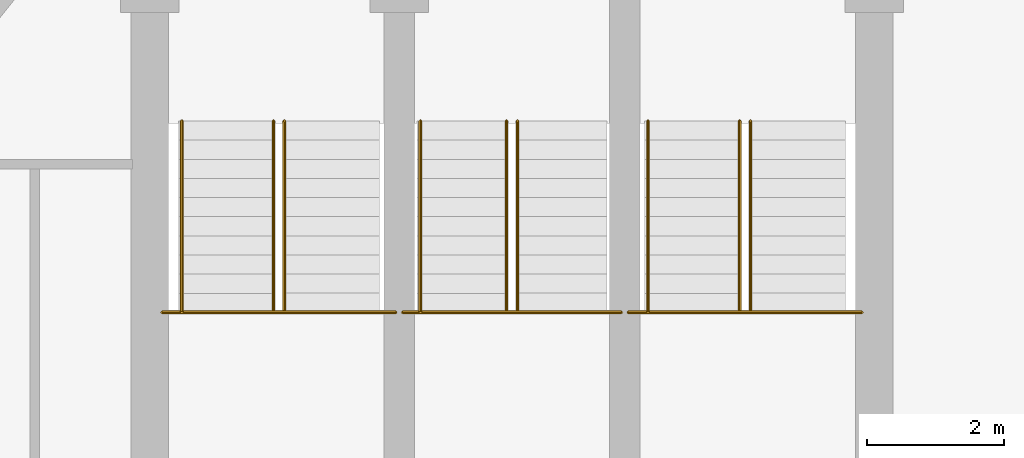
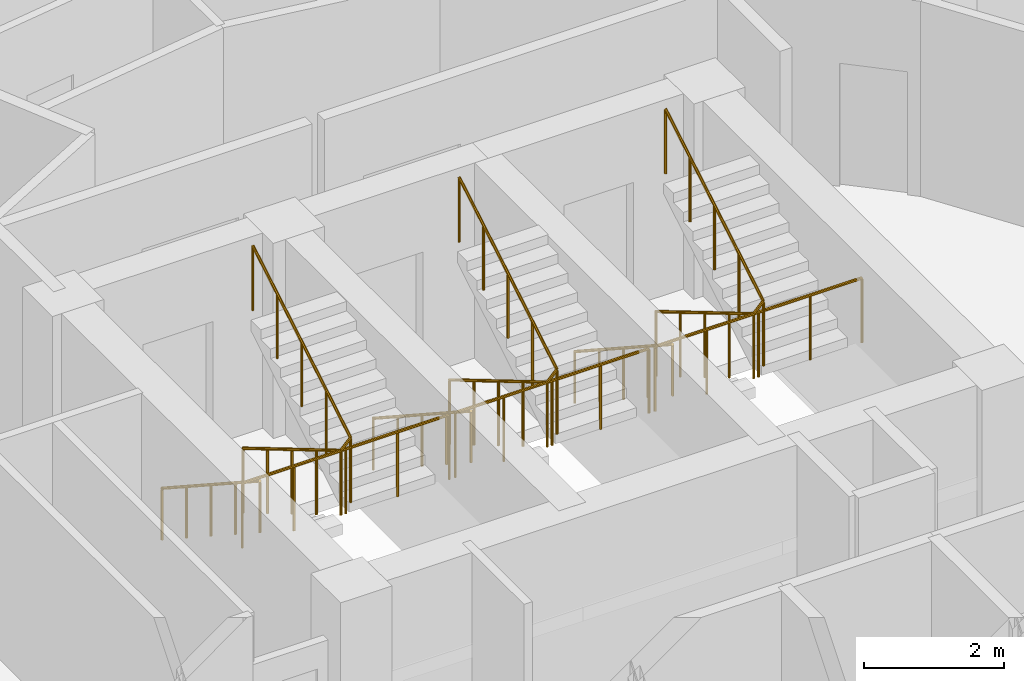
# One storey, part 27 of 27: 9 railings.
"""IFC4 building model written with IfcOpenShell, lengths in metres."""

from ifc_helpers import new_model, si_unit, direction, frame, origin, place, context, subcontext, project, spatial, polyline, outline, extrude, material, type_object, element, save


model = new_model("IFC4")

# Units and contexts
model_context = context("Model", 3, precision=1e-05, world=origin(), true_north=direction((0.0, 1.0)))
body_context = subcontext(model_context, "Body", "Model", "MODEL_VIEW")
ifc_project = project(units=[si_unit("LENGTHUNIT", "METRE"), si_unit("AREAUNIT", "SQUARE_METRE"), si_unit("VOLUMEUNIT", "CUBIC_METRE"), si_unit("PLANEANGLEUNIT", "RADIAN"), si_unit("MASSUNIT", "GRAM", prefix="KILO")], contexts=[model_context])

# Site, building, storey
site_placement = place(None, origin())
site = spatial("IfcSite", under=ifc_project, at=site_placement, CompositionType="ELEMENT")
building_placement = place(site_placement, origin())
building = spatial("IfcBuilding", under=site, at=building_placement, Name="Nuhasar Tower", CompositionType="ELEMENT")
storey_placement = place(building_placement, frame((0.0, 0.0, 211.800048828125)))
storey = spatial("IfcBuildingStorey", under=building, at=storey_placement, Name="L51", CompositionType="ELEMENT", Elevation=211.800048828125)

# Railings
ifc_material_1 = material(Name="Steel S355", Category="steel")
railing_type_1 = type_object("IfcRailingType", Name="RLG-STAIR-GUARD-1150", PredefinedType="GUARDRAIL", material=ifc_material_1)
railing_1_placement = place(storey_placement, frame((33.8798828125, 32.485107421875, 1.824951171875)))
element("IfcRailing", 1, at=railing_1_placement, inside=storey, type_object=railing_type_1, Name="L51 Stair ST-01 Guardrail LND", PredefinedType="GUARDRAIL", context=body_context, shape_type="SweptSolid", body=[
    extrude(outline(polyline([(0.024169921875, 0.0), (0.01708984375, 0.01708984375), (0.0, 0.024169921875), (-0.01708984375, 0.01708984375), (-0.024169921875, 0.0), (-0.01708984375, -0.01708984375), (0.0, -0.024169921875), (0.01708984375, -0.01708984375), (0.024169921875, 0.0)])), frame((0.0, 0.0, 1.1259765625), z_axis=(1.0, 0.0, 0.0), x_axis=(0.0, 1.0, 0.0)), (0.0, 0.0, 1.0), 3.420166015625),
    extrude(outline(polyline([(0.02099609375, 0.0), (0.014892578125, 0.014892578125), (0.0, 0.02099609375), (-0.014892578125, 0.014892578125), (-0.02099609375, 0.0), (-0.014892578125, -0.014892578125), (0.0, -0.02099609375), (0.014892578125, -0.014892578125), (0.02099609375, 0.0)])), origin(), (0.0, 0.0, 1.0), 1.101806640625),
    extrude(outline(polyline([(0.02099609375, 0.0), (0.014892578125, 0.014892578125), (0.0, 0.02099609375), (-0.014892578125, 0.014892578125), (-0.02099609375, 0.0), (-0.014892578125, -0.014892578125), (0.0, -0.02099609375), (0.014892578125, -0.014892578125), (0.02099609375, 0.0)])), frame((0.85498046875, 0.0, 0.0)), (0.0, 0.0, 1.0), 1.101806640625),
    extrude(outline(polyline([(0.02099609375, 0.0), (0.014892578125, 0.014892578125), (0.0, 0.02099609375), (-0.014892578125, 0.014892578125), (-0.02099609375, 0.0), (-0.014892578125, -0.014892578125), (0.0, -0.02099609375), (0.014892578125, -0.014892578125), (0.02099609375, 0.0)])), frame((1.7099609375, 0.0, 0.0)), (0.0, 0.0, 1.0), 1.101806640625),
    extrude(outline(polyline([(0.02099609375, 0.0), (0.014892578125, 0.014892578125), (0.0, 0.02099609375), (-0.014892578125, 0.014892578125), (-0.02099609375, 0.0), (-0.014892578125, -0.014892578125), (0.0, -0.02099609375), (0.014892578125, -0.014892578125), (0.02099609375, 0.0)])), frame((2.565185546875, 0.0, 0.0)), (0.0, 0.0, 1.0), 1.101806640625),
    extrude(outline(polyline([(0.02099609375, 0.0), (0.014892578125, 0.014892578125), (0.0, 0.02099609375), (-0.014892578125, 0.014892578125), (-0.02099609375, 0.0), (-0.014892578125, -0.014892578125), (0.0, -0.02099609375), (0.014892578125, -0.014892578125), (0.02099609375, 0.0)])), frame((3.420166015625, 0.0, 0.0)), (0.0, 0.0, 1.0), 1.101806640625),
])
railing_2_placement = place(storey_placement, frame((35.510009765625, 35.284912109375, 0.166015625)))
element("IfcRailing", 2, at=railing_2_placement, inside=storey, type_object=railing_type_1, Name="L51 Stair ST-01 Guardrail SLT", PredefinedType="GUARDRAIL", context=body_context, shape_type="SweptSolid", body=[
    extrude(outline(polyline([(0.024169921875, 0.0), (0.01708984375, 0.01708984375), (0.0, 0.024169921875), (-0.01708984375, 0.01708984375), (-0.024169921875, 0.0), (-0.01708984375, -0.01708984375), (0.0, -0.024169921875), (0.01708984375, -0.01708984375), (0.024169921875, 0.0)])), frame((0.0, 0.0, 1.1259765625), z_axis=(0.0, -0.860319559791, 0.509755093197), x_axis=(1.0, 0.0, 0.0)), (0.0, 0.0, 1.0), 3.25439453125),
    extrude(outline(polyline([(0.024169921875, 0.0), (0.01708984375, 0.01708984375), (0.0, 0.024169921875), (-0.01708984375, 0.01708984375), (-0.024169921875, 0.0), (-0.01708984375, -0.01708984375), (0.0, -0.024169921875), (0.01708984375, -0.01708984375), (0.024169921875, 0.0)])), frame((0.0, -2.7998046875, 2.78466796875), z_axis=(0.693743449033, 0.0, 0.72022220663), x_axis=(0.0, 1.0, 0.0)), (0.0, 0.0, 1.0), 0.23046875),
    extrude(outline(polyline([(0.024169921875, 0.0), (0.01708984375, 0.01708984375), (0.0, 0.024169921875), (-0.01708984375, 0.01708984375), (-0.024169921875, 0.0), (-0.01708984375, -0.01708984375), (0.0, -0.024169921875), (0.01708984375, -0.01708984375), (0.024169921875, 0.0)])), frame((0.159912109375, -2.7998046875, 2.95068359375), z_axis=(0.0, 0.860319559791, 0.509755093197), x_axis=(-1.0, 0.0, 0.0)), (0.0, 0.0, 1.0), 3.25439453125),
    extrude(outline(polyline([(0.02099609375, 0.0), (0.014892578125, 0.014892578125), (0.0, 0.02099609375), (-0.014892578125, 0.014892578125), (-0.02099609375, 0.0), (-0.014892578125, -0.014892578125), (0.0, -0.02099609375), (0.014892578125, -0.014892578125), (0.02099609375, 0.0)])), origin(), (0.0, 0.0, 1.0), 1.101806640625),
    extrude(outline(polyline([(0.02099609375, 0.0), (0.014892578125, 0.014892578125), (0.0, 0.02099609375), (-0.014892578125, 0.014892578125), (-0.02099609375, 0.0), (-0.014892578125, -0.014892578125), (0.0, -0.02099609375), (0.014892578125, -0.014892578125), (0.02099609375, 0.0)])), frame((0.0, -0.699951171875, 0.414794921875)), (0.0, 0.0, 1.0), 1.101806640625),
    extrude(outline(polyline([(0.02099609375, 0.0), (0.014892578125, 0.014892578125), (0.0, 0.02099609375), (-0.014892578125, 0.014892578125), (-0.02099609375, 0.0), (-0.014892578125, -0.014892578125), (0.0, -0.02099609375), (0.014892578125, -0.014892578125), (0.02099609375, 0.0)])), frame((0.0, -1.39990234375, 0.82958984375)), (0.0, 0.0, 1.0), 1.101806640625),
    extrude(outline(polyline([(0.02099609375, 0.0), (0.014892578125, 0.014892578125), (0.0, 0.02099609375), (-0.014892578125, 0.014892578125), (-0.02099609375, 0.0), (-0.014892578125, -0.014892578125), (0.0, -0.02099609375), (0.014892578125, -0.014892578125), (0.02099609375, 0.0)])), frame((0.0, -2.099853515625, 1.244140625)), (0.0, 0.0, 1.0), 1.101806640625),
    extrude(outline(polyline([(0.02099609375, 0.0), (0.014892578125, 0.014892578125), (0.0, 0.02099609375), (-0.014892578125, 0.014892578125), (-0.02099609375, 0.0), (-0.014892578125, -0.014892578125), (0.0, -0.02099609375), (0.014892578125, -0.014892578125), (0.02099609375, 0.0)])), frame((0.0, -2.7998046875, 1.658935546875)), (0.0, 0.0, 1.0), 1.101806640625),
    extrude(outline(polyline([(0.02099609375, 0.0), (0.014892578125, 0.014892578125), (0.0, 0.02099609375), (-0.014892578125, 0.014892578125), (-0.02099609375, 0.0), (-0.014892578125, -0.014892578125), (0.0, -0.02099609375), (0.014892578125, -0.014892578125), (0.02099609375, 0.0)])), frame((0.159912109375, -2.7998046875, 1.824951171875)), (0.0, 0.0, 1.0), 1.101806640625),
    extrude(outline(polyline([(0.02099609375, 0.0), (0.014892578125, 0.014892578125), (0.0, 0.02099609375), (-0.014892578125, 0.014892578125), (-0.02099609375, 0.0), (-0.014892578125, -0.014892578125), (0.0, -0.02099609375), (0.014892578125, -0.014892578125), (0.02099609375, 0.0)])), frame((0.159912109375, -2.099853515625, 2.23974609375)), (0.0, 0.0, 1.0), 1.101806640625),
    extrude(outline(polyline([(0.02099609375, 0.0), (0.014892578125, 0.014892578125), (0.0, 0.02099609375), (-0.014892578125, 0.014892578125), (-0.02099609375, 0.0), (-0.014892578125, -0.014892578125), (0.0, -0.02099609375), (0.014892578125, -0.014892578125), (0.02099609375, 0.0)])), frame((0.159912109375, -1.39990234375, 2.654296875)), (0.0, 0.0, 1.0), 1.101806640625),
    extrude(outline(polyline([(0.02099609375, 0.0), (0.014892578125, 0.014892578125), (0.0, 0.02099609375), (-0.014892578125, 0.014892578125), (-0.02099609375, 0.0), (-0.014892578125, -0.014892578125), (0.0, -0.02099609375), (0.014892578125, -0.014892578125), (0.02099609375, 0.0)])), frame((0.159912109375, -0.699951171875, 3.069091796875)), (0.0, 0.0, 1.0), 1.101806640625),
    extrude(outline(polyline([(0.02099609375, 0.0), (0.014892578125, 0.014892578125), (0.0, 0.02099609375), (-0.014892578125, 0.014892578125), (-0.02099609375, 0.0), (-0.014892578125, -0.014892578125), (0.0, -0.02099609375), (0.014892578125, -0.014892578125), (0.02099609375, 0.0)])), frame((0.159912109375, 0.0, 3.48388671875)), (0.0, 0.0, 1.0), 1.101806640625),
])
railing_3_placement = place(storey_placement, frame((37.39990234375, 32.485107421875, 1.824951171875)))
element("IfcRailing", 3, at=railing_3_placement, inside=storey, type_object=railing_type_1, Name="L51 Stair ST-03 Guardrail LND", PredefinedType="GUARDRAIL", context=body_context, shape_type="SweptSolid", body=[
    extrude(outline(polyline([(0.024169921875, 0.0), (0.01708984375, 0.01708984375), (0.0, 0.024169921875), (-0.01708984375, 0.01708984375), (-0.024169921875, 0.0), (-0.01708984375, -0.01708984375), (0.0, -0.024169921875), (0.01708984375, -0.01708984375), (0.024169921875, 0.0)])), frame((0.0, 0.0, 1.1259765625), z_axis=(1.0, 0.0, 0.0), x_axis=(0.0, 1.0, 0.0)), (0.0, 0.0, 1.0), 3.2001953125),
    extrude(outline(polyline([(0.02099609375, 0.0), (0.014892578125, 0.014892578125), (0.0, 0.02099609375), (-0.014892578125, 0.014892578125), (-0.02099609375, 0.0), (-0.014892578125, -0.014892578125), (0.0, -0.02099609375), (0.014892578125, -0.014892578125), (0.02099609375, 0.0)])), origin(), (0.0, 0.0, 1.0), 1.101806640625),
    extrude(outline(polyline([(0.02099609375, 0.0), (0.014892578125, 0.014892578125), (0.0, 0.02099609375), (-0.014892578125, 0.014892578125), (-0.02099609375, 0.0), (-0.014892578125, -0.014892578125), (0.0, -0.02099609375), (0.014892578125, -0.014892578125), (0.02099609375, 0.0)])), frame((0.800048828125, 0.0, 0.0)), (0.0, 0.0, 1.0), 1.101806640625),
    extrude(outline(polyline([(0.02099609375, 0.0), (0.014892578125, 0.014892578125), (0.0, 0.02099609375), (-0.014892578125, 0.014892578125), (-0.02099609375, 0.0), (-0.014892578125, -0.014892578125), (0.0, -0.02099609375), (0.014892578125, -0.014892578125), (0.02099609375, 0.0)])), frame((1.60009765625, 0.0, 0.0)), (0.0, 0.0, 1.0), 1.101806640625),
    extrude(outline(polyline([(0.02099609375, 0.0), (0.014892578125, 0.014892578125), (0.0, 0.02099609375), (-0.014892578125, 0.014892578125), (-0.02099609375, 0.0), (-0.014892578125, -0.014892578125), (0.0, -0.02099609375), (0.014892578125, -0.014892578125), (0.02099609375, 0.0)])), frame((2.400146484375, 0.0, 0.0)), (0.0, 0.0, 1.0), 1.101806640625),
    extrude(outline(polyline([(0.02099609375, 0.0), (0.014892578125, 0.014892578125), (0.0, 0.02099609375), (-0.014892578125, 0.014892578125), (-0.02099609375, 0.0), (-0.014892578125, -0.014892578125), (0.0, -0.02099609375), (0.014892578125, -0.014892578125), (0.02099609375, 0.0)])), frame((3.2001953125, 0.0, 0.0)), (0.0, 0.0, 1.0), 1.101806640625),
])
railing_4_placement = place(storey_placement, frame((38.919921875, 35.284912109375, 0.166015625)))
element("IfcRailing", 4, at=railing_4_placement, inside=storey, type_object=railing_type_1, Name="L51 Stair ST-03 Guardrail SLT", PredefinedType="GUARDRAIL", context=body_context, shape_type="SweptSolid", body=[
    extrude(outline(polyline([(0.024169921875, 0.0), (0.01708984375, 0.01708984375), (0.0, 0.024169921875), (-0.01708984375, 0.01708984375), (-0.024169921875, 0.0), (-0.01708984375, -0.01708984375), (0.0, -0.024169921875), (0.01708984375, -0.01708984375), (0.024169921875, 0.0)])), frame((0.0, 0.0, 1.1259765625), z_axis=(0.0, -0.860319559791, 0.509755093197), x_axis=(1.0, 0.0, 0.0)), (0.0, 0.0, 1.0), 3.25439453125),
    extrude(outline(polyline([(0.024169921875, 0.0), (0.01708984375, 0.01708984375), (0.0, 0.024169921875), (-0.01708984375, 0.01708984375), (-0.024169921875, 0.0), (-0.01708984375, -0.01708984375), (0.0, -0.024169921875), (0.01708984375, -0.01708984375), (0.024169921875, 0.0)])), frame((0.0, -2.7998046875, 2.78466796875), z_axis=(0.694292246407, 0.0, 0.719693182251), x_axis=(0.0, 1.0, 0.0)), (0.0, 0.0, 1.0), 0.230712890625),
    extrude(outline(polyline([(0.024169921875, 0.0), (0.01708984375, 0.01708984375), (0.0, 0.024169921875), (-0.01708984375, 0.01708984375), (-0.024169921875, 0.0), (-0.01708984375, -0.01708984375), (0.0, -0.024169921875), (0.01708984375, -0.01708984375), (0.024169921875, 0.0)])), frame((0.16015625, -2.7998046875, 2.95068359375), z_axis=(0.0, 0.860319559791, 0.509755093197), x_axis=(-1.0, 0.0, 0.0)), (0.0, 0.0, 1.0), 3.25439453125),
    extrude(outline(polyline([(0.02099609375, 0.0), (0.014892578125, 0.014892578125), (0.0, 0.02099609375), (-0.014892578125, 0.014892578125), (-0.02099609375, 0.0), (-0.014892578125, -0.014892578125), (0.0, -0.02099609375), (0.014892578125, -0.014892578125), (0.02099609375, 0.0)])), origin(), (0.0, 0.0, 1.0), 1.101806640625),
    extrude(outline(polyline([(0.02099609375, 0.0), (0.014892578125, 0.014892578125), (0.0, 0.02099609375), (-0.014892578125, 0.014892578125), (-0.02099609375, 0.0), (-0.014892578125, -0.014892578125), (0.0, -0.02099609375), (0.014892578125, -0.014892578125), (0.02099609375, 0.0)])), frame((0.0, -0.699951171875, 0.414794921875)), (0.0, 0.0, 1.0), 1.101806640625),
    extrude(outline(polyline([(0.02099609375, 0.0), (0.014892578125, 0.014892578125), (0.0, 0.02099609375), (-0.014892578125, 0.014892578125), (-0.02099609375, 0.0), (-0.014892578125, -0.014892578125), (0.0, -0.02099609375), (0.014892578125, -0.014892578125), (0.02099609375, 0.0)])), frame((0.0, -1.39990234375, 0.82958984375)), (0.0, 0.0, 1.0), 1.101806640625),
    extrude(outline(polyline([(0.02099609375, 0.0), (0.014892578125, 0.014892578125), (0.0, 0.02099609375), (-0.014892578125, 0.014892578125), (-0.02099609375, 0.0), (-0.014892578125, -0.014892578125), (0.0, -0.02099609375), (0.014892578125, -0.014892578125), (0.02099609375, 0.0)])), frame((0.0, -2.099853515625, 1.244140625)), (0.0, 0.0, 1.0), 1.101806640625),
    extrude(outline(polyline([(0.02099609375, 0.0), (0.014892578125, 0.014892578125), (0.0, 0.02099609375), (-0.014892578125, 0.014892578125), (-0.02099609375, 0.0), (-0.014892578125, -0.014892578125), (0.0, -0.02099609375), (0.014892578125, -0.014892578125), (0.02099609375, 0.0)])), frame((0.0, -2.7998046875, 1.658935546875)), (0.0, 0.0, 1.0), 1.101806640625),
    extrude(outline(polyline([(0.02099609375, 0.0), (0.014892578125, 0.014892578125), (0.0, 0.02099609375), (-0.014892578125, 0.014892578125), (-0.02099609375, 0.0), (-0.014892578125, -0.014892578125), (0.0, -0.02099609375), (0.014892578125, -0.014892578125), (0.02099609375, 0.0)])), frame((0.16015625, -2.7998046875, 1.824951171875)), (0.0, 0.0, 1.0), 1.101806640625),
    extrude(outline(polyline([(0.02099609375, 0.0), (0.014892578125, 0.014892578125), (0.0, 0.02099609375), (-0.014892578125, 0.014892578125), (-0.02099609375, 0.0), (-0.014892578125, -0.014892578125), (0.0, -0.02099609375), (0.014892578125, -0.014892578125), (0.02099609375, 0.0)])), frame((0.16015625, -2.099853515625, 2.23974609375)), (0.0, 0.0, 1.0), 1.101806640625),
    extrude(outline(polyline([(0.02099609375, 0.0), (0.014892578125, 0.014892578125), (0.0, 0.02099609375), (-0.014892578125, 0.014892578125), (-0.02099609375, 0.0), (-0.014892578125, -0.014892578125), (0.0, -0.02099609375), (0.014892578125, -0.014892578125), (0.02099609375, 0.0)])), frame((0.16015625, -1.39990234375, 2.654296875)), (0.0, 0.0, 1.0), 1.101806640625),
    extrude(outline(polyline([(0.02099609375, 0.0), (0.014892578125, 0.014892578125), (0.0, 0.02099609375), (-0.014892578125, 0.014892578125), (-0.02099609375, 0.0), (-0.014892578125, -0.014892578125), (0.0, -0.02099609375), (0.014892578125, -0.014892578125), (0.02099609375, 0.0)])), frame((0.16015625, -0.699951171875, 3.069091796875)), (0.0, 0.0, 1.0), 1.101806640625),
    extrude(outline(polyline([(0.02099609375, 0.0), (0.014892578125, 0.014892578125), (0.0, 0.02099609375), (-0.014892578125, 0.014892578125), (-0.02099609375, 0.0), (-0.014892578125, -0.014892578125), (0.0, -0.02099609375), (0.014892578125, -0.014892578125), (0.02099609375, 0.0)])), frame((0.16015625, 0.0, 3.48388671875)), (0.0, 0.0, 1.0), 1.101806640625),
])
railing_5_placement = place(storey_placement, frame((40.699951171875, 32.485107421875, 1.824951171875)))
element("IfcRailing", 5, at=railing_5_placement, inside=storey, type_object=railing_type_1, Name="L51 Stair ST-02 Guardrail LND", PredefinedType="GUARDRAIL", context=body_context, shape_type="SweptSolid", body=[
    extrude(outline(polyline([(0.024169921875, 0.0), (0.01708984375, 0.01708984375), (0.0, 0.024169921875), (-0.01708984375, 0.01708984375), (-0.024169921875, 0.0), (-0.01708984375, -0.01708984375), (0.0, -0.024169921875), (0.01708984375, -0.01708984375), (0.024169921875, 0.0)])), frame((0.0, 0.0, 1.1259765625), z_axis=(1.0, 0.0, 0.0), x_axis=(0.0, 1.0, 0.0)), (0.0, 0.0, 1.0), 3.420166015625),
    extrude(outline(polyline([(0.02099609375, 0.0), (0.014892578125, 0.014892578125), (0.0, 0.02099609375), (-0.014892578125, 0.014892578125), (-0.02099609375, 0.0), (-0.014892578125, -0.014892578125), (0.0, -0.02099609375), (0.014892578125, -0.014892578125), (0.02099609375, 0.0)])), origin(), (0.0, 0.0, 1.0), 1.101806640625),
    extrude(outline(polyline([(0.02099609375, 0.0), (0.014892578125, 0.014892578125), (0.0, 0.02099609375), (-0.014892578125, 0.014892578125), (-0.02099609375, 0.0), (-0.014892578125, -0.014892578125), (0.0, -0.02099609375), (0.014892578125, -0.014892578125), (0.02099609375, 0.0)])), frame((0.85498046875, 0.0, 0.0)), (0.0, 0.0, 1.0), 1.101806640625),
    extrude(outline(polyline([(0.02099609375, 0.0), (0.014892578125, 0.014892578125), (0.0, 0.02099609375), (-0.014892578125, 0.014892578125), (-0.02099609375, 0.0), (-0.014892578125, -0.014892578125), (0.0, -0.02099609375), (0.014892578125, -0.014892578125), (0.02099609375, 0.0)])), frame((1.7099609375, 0.0, 0.0)), (0.0, 0.0, 1.0), 1.101806640625),
    extrude(outline(polyline([(0.02099609375, 0.0), (0.014892578125, 0.014892578125), (0.0, 0.02099609375), (-0.014892578125, 0.014892578125), (-0.02099609375, 0.0), (-0.014892578125, -0.014892578125), (0.0, -0.02099609375), (0.014892578125, -0.014892578125), (0.02099609375, 0.0)])), frame((2.565185546875, 0.0, 0.0)), (0.0, 0.0, 1.0), 1.101806640625),
    extrude(outline(polyline([(0.02099609375, 0.0), (0.014892578125, 0.014892578125), (0.0, 0.02099609375), (-0.014892578125, 0.014892578125), (-0.02099609375, 0.0), (-0.014892578125, -0.014892578125), (0.0, -0.02099609375), (0.014892578125, -0.014892578125), (0.02099609375, 0.0)])), frame((3.420166015625, 0.0, 0.0)), (0.0, 0.0, 1.0), 1.101806640625),
])
railing_6_placement = place(storey_placement, frame((42.330078125, 35.284912109375, 0.166015625)))
element("IfcRailing", 6, at=railing_6_placement, inside=storey, type_object=railing_type_1, Name="L51 Stair ST-02 Guardrail SLT", PredefinedType="GUARDRAIL", context=body_context, shape_type="SweptSolid", body=[
    extrude(outline(polyline([(0.024169921875, 0.0), (0.01708984375, 0.01708984375), (0.0, 0.024169921875), (-0.01708984375, 0.01708984375), (-0.024169921875, 0.0), (-0.01708984375, -0.01708984375), (0.0, -0.024169921875), (0.01708984375, -0.01708984375), (0.024169921875, 0.0)])), frame((0.0, 0.0, 1.1259765625), z_axis=(0.0, -0.860319559791, 0.509755093197), x_axis=(1.0, 0.0, 0.0)), (0.0, 0.0, 1.0), 3.25439453125),
    extrude(outline(polyline([(0.024169921875, 0.0), (0.01708984375, 0.01708984375), (0.0, 0.024169921875), (-0.01708984375, 0.01708984375), (-0.024169921875, 0.0), (-0.01708984375, -0.01708984375), (0.0, -0.024169921875), (0.01708984375, -0.01708984375), (0.024169921875, 0.0)])), frame((0.0, -2.7998046875, 2.78466796875), z_axis=(0.693743449033, 0.0, 0.72022220663), x_axis=(0.0, 1.0, 0.0)), (0.0, 0.0, 1.0), 0.23046875),
    extrude(outline(polyline([(0.024169921875, 0.0), (0.01708984375, 0.01708984375), (0.0, 0.024169921875), (-0.01708984375, 0.01708984375), (-0.024169921875, 0.0), (-0.01708984375, -0.01708984375), (0.0, -0.024169921875), (0.01708984375, -0.01708984375), (0.024169921875, 0.0)])), frame((0.159912109375, -2.7998046875, 2.95068359375), z_axis=(0.0, 0.860319559791, 0.509755093197), x_axis=(-1.0, 0.0, 0.0)), (0.0, 0.0, 1.0), 3.25439453125),
    extrude(outline(polyline([(0.02099609375, 0.0), (0.014892578125, 0.014892578125), (0.0, 0.02099609375), (-0.014892578125, 0.014892578125), (-0.02099609375, 0.0), (-0.014892578125, -0.014892578125), (0.0, -0.02099609375), (0.014892578125, -0.014892578125), (0.02099609375, 0.0)])), origin(), (0.0, 0.0, 1.0), 1.101806640625),
    extrude(outline(polyline([(0.02099609375, 0.0), (0.014892578125, 0.014892578125), (0.0, 0.02099609375), (-0.014892578125, 0.014892578125), (-0.02099609375, 0.0), (-0.014892578125, -0.014892578125), (0.0, -0.02099609375), (0.014892578125, -0.014892578125), (0.02099609375, 0.0)])), frame((0.0, -0.699951171875, 0.414794921875)), (0.0, 0.0, 1.0), 1.101806640625),
    extrude(outline(polyline([(0.02099609375, 0.0), (0.014892578125, 0.014892578125), (0.0, 0.02099609375), (-0.014892578125, 0.014892578125), (-0.02099609375, 0.0), (-0.014892578125, -0.014892578125), (0.0, -0.02099609375), (0.014892578125, -0.014892578125), (0.02099609375, 0.0)])), frame((0.0, -1.39990234375, 0.82958984375)), (0.0, 0.0, 1.0), 1.101806640625),
    extrude(outline(polyline([(0.02099609375, 0.0), (0.014892578125, 0.014892578125), (0.0, 0.02099609375), (-0.014892578125, 0.014892578125), (-0.02099609375, 0.0), (-0.014892578125, -0.014892578125), (0.0, -0.02099609375), (0.014892578125, -0.014892578125), (0.02099609375, 0.0)])), frame((0.0, -2.099853515625, 1.244140625)), (0.0, 0.0, 1.0), 1.101806640625),
    extrude(outline(polyline([(0.02099609375, 0.0), (0.014892578125, 0.014892578125), (0.0, 0.02099609375), (-0.014892578125, 0.014892578125), (-0.02099609375, 0.0), (-0.014892578125, -0.014892578125), (0.0, -0.02099609375), (0.014892578125, -0.014892578125), (0.02099609375, 0.0)])), frame((0.0, -2.7998046875, 1.658935546875)), (0.0, 0.0, 1.0), 1.101806640625),
    extrude(outline(polyline([(0.02099609375, 0.0), (0.014892578125, 0.014892578125), (0.0, 0.02099609375), (-0.014892578125, 0.014892578125), (-0.02099609375, 0.0), (-0.014892578125, -0.014892578125), (0.0, -0.02099609375), (0.014892578125, -0.014892578125), (0.02099609375, 0.0)])), frame((0.159912109375, -2.7998046875, 1.824951171875)), (0.0, 0.0, 1.0), 1.101806640625),
    extrude(outline(polyline([(0.02099609375, 0.0), (0.014892578125, 0.014892578125), (0.0, 0.02099609375), (-0.014892578125, 0.014892578125), (-0.02099609375, 0.0), (-0.014892578125, -0.014892578125), (0.0, -0.02099609375), (0.014892578125, -0.014892578125), (0.02099609375, 0.0)])), frame((0.159912109375, -2.099853515625, 2.23974609375)), (0.0, 0.0, 1.0), 1.101806640625),
    extrude(outline(polyline([(0.02099609375, 0.0), (0.014892578125, 0.014892578125), (0.0, 0.02099609375), (-0.014892578125, 0.014892578125), (-0.02099609375, 0.0), (-0.014892578125, -0.014892578125), (0.0, -0.02099609375), (0.014892578125, -0.014892578125), (0.02099609375, 0.0)])), frame((0.159912109375, -1.39990234375, 2.654296875)), (0.0, 0.0, 1.0), 1.101806640625),
    extrude(outline(polyline([(0.02099609375, 0.0), (0.014892578125, 0.014892578125), (0.0, 0.02099609375), (-0.014892578125, 0.014892578125), (-0.02099609375, 0.0), (-0.014892578125, -0.014892578125), (0.0, -0.02099609375), (0.014892578125, -0.014892578125), (0.02099609375, 0.0)])), frame((0.159912109375, -0.699951171875, 3.069091796875)), (0.0, 0.0, 1.0), 1.101806640625),
    extrude(outline(polyline([(0.02099609375, 0.0), (0.014892578125, 0.014892578125), (0.0, 0.02099609375), (-0.014892578125, 0.014892578125), (-0.02099609375, 0.0), (-0.014892578125, -0.014892578125), (0.0, -0.02099609375), (0.014892578125, -0.014892578125), (0.02099609375, 0.0)])), frame((0.159912109375, 0.0, 3.48388671875)), (0.0, 0.0, 1.0), 1.101806640625),
])
ifc_material_2 = material(Name="Stainless Steel 316L", Category="steel")
railing_type_2 = type_object("IfcRailingType", Name="RLG-STAIR-HAND-920", PredefinedType="HANDRAIL", material=ifc_material_2)
railing_7_placement = place(storey_placement, frame((34.169921875, 35.284912109375, 0.166015625)))
element("IfcRailing", 7, at=railing_7_placement, inside=storey, type_object=railing_type_2, Name="L51 Stair ST-01 Handrail HND1", PredefinedType="HANDRAIL", context=body_context, shape_type="SweptSolid", body=[
    extrude(outline(polyline([(0.024169921875, 0.0), (0.01708984375, 0.01708984375), (0.0, 0.024169921875), (-0.01708984375, 0.01708984375), (-0.024169921875, 0.0), (-0.01708984375, -0.01708984375), (0.0, -0.024169921875), (0.01708984375, -0.01708984375), (0.024169921875, 0.0)])), frame((0.0, 0.0, 0.89599609375), z_axis=(0.0, -0.837748630625, 0.546056070276), x_axis=(1.0, 0.0, 0.0)), (0.0, 0.0, 1.0), 3.342041015625),
    extrude(outline(polyline([(0.02099609375, 0.0), (0.014892578125, 0.014892578125), (0.0, 0.02099609375), (-0.014892578125, 0.014892578125), (-0.02099609375, 0.0), (-0.014892578125, -0.014892578125), (0.0, -0.02099609375), (0.014892578125, -0.014892578125), (0.02099609375, 0.0)])), origin(), (0.0, 0.0, 1.0), 0.871826171875),
    extrude(outline(polyline([(0.02099609375, 0.0), (0.014892578125, 0.014892578125), (0.0, 0.02099609375), (-0.014892578125, 0.014892578125), (-0.02099609375, 0.0), (-0.014892578125, -0.014892578125), (0.0, -0.02099609375), (0.014892578125, -0.014892578125), (0.02099609375, 0.0)])), frame((0.0, -0.699951171875, 0.456298828125)), (0.0, 0.0, 1.0), 0.871826171875),
    extrude(outline(polyline([(0.02099609375, 0.0), (0.014892578125, 0.014892578125), (0.0, 0.02099609375), (-0.014892578125, 0.014892578125), (-0.02099609375, 0.0), (-0.014892578125, -0.014892578125), (0.0, -0.02099609375), (0.014892578125, -0.014892578125), (0.02099609375, 0.0)])), frame((0.0, -1.39990234375, 0.91259765625)), (0.0, 0.0, 1.0), 0.871826171875),
    extrude(outline(polyline([(0.02099609375, 0.0), (0.014892578125, 0.014892578125), (0.0, 0.02099609375), (-0.014892578125, 0.014892578125), (-0.02099609375, 0.0), (-0.014892578125, -0.014892578125), (0.0, -0.02099609375), (0.014892578125, -0.014892578125), (0.02099609375, 0.0)])), frame((0.0, -2.099853515625, 1.36865234375)), (0.0, 0.0, 1.0), 0.871826171875),
    extrude(outline(polyline([(0.02099609375, 0.0), (0.014892578125, 0.014892578125), (0.0, 0.02099609375), (-0.014892578125, 0.014892578125), (-0.02099609375, 0.0), (-0.014892578125, -0.014892578125), (0.0, -0.02099609375), (0.014892578125, -0.014892578125), (0.02099609375, 0.0)])), frame((0.0, -2.7998046875, 1.824951171875)), (0.0, 0.0, 1.0), 0.871826171875),
])
railing_8_placement = place(storey_placement, frame((37.659912109375, 35.284912109375, 0.166015625)))
element("IfcRailing", 8, at=railing_8_placement, inside=storey, type_object=railing_type_2, Name="L51 Stair ST-03 Handrail HND1", PredefinedType="HANDRAIL", context=body_context, shape_type="SweptSolid", body=[
    extrude(outline(polyline([(0.024169921875, 0.0), (0.01708984375, 0.01708984375), (0.0, 0.024169921875), (-0.01708984375, 0.01708984375), (-0.024169921875, 0.0), (-0.01708984375, -0.01708984375), (0.0, -0.024169921875), (0.01708984375, -0.01708984375), (0.024169921875, 0.0)])), frame((0.0, 0.0, 0.89599609375), z_axis=(0.0, -0.837748630625, 0.546056070276), x_axis=(1.0, 0.0, 0.0)), (0.0, 0.0, 1.0), 3.342041015625),
    extrude(outline(polyline([(0.02099609375, 0.0), (0.014892578125, 0.014892578125), (0.0, 0.02099609375), (-0.014892578125, 0.014892578125), (-0.02099609375, 0.0), (-0.014892578125, -0.014892578125), (0.0, -0.02099609375), (0.014892578125, -0.014892578125), (0.02099609375, 0.0)])), origin(), (0.0, 0.0, 1.0), 0.871826171875),
    extrude(outline(polyline([(0.02099609375, 0.0), (0.014892578125, 0.014892578125), (0.0, 0.02099609375), (-0.014892578125, 0.014892578125), (-0.02099609375, 0.0), (-0.014892578125, -0.014892578125), (0.0, -0.02099609375), (0.014892578125, -0.014892578125), (0.02099609375, 0.0)])), frame((0.0, -0.699951171875, 0.456298828125)), (0.0, 0.0, 1.0), 0.871826171875),
    extrude(outline(polyline([(0.02099609375, 0.0), (0.014892578125, 0.014892578125), (0.0, 0.02099609375), (-0.014892578125, 0.014892578125), (-0.02099609375, 0.0), (-0.014892578125, -0.014892578125), (0.0, -0.02099609375), (0.014892578125, -0.014892578125), (0.02099609375, 0.0)])), frame((0.0, -1.39990234375, 0.91259765625)), (0.0, 0.0, 1.0), 0.871826171875),
    extrude(outline(polyline([(0.02099609375, 0.0), (0.014892578125, 0.014892578125), (0.0, 0.02099609375), (-0.014892578125, 0.014892578125), (-0.02099609375, 0.0), (-0.014892578125, -0.014892578125), (0.0, -0.02099609375), (0.014892578125, -0.014892578125), (0.02099609375, 0.0)])), frame((0.0, -2.099853515625, 1.36865234375)), (0.0, 0.0, 1.0), 0.871826171875),
    extrude(outline(polyline([(0.02099609375, 0.0), (0.014892578125, 0.014892578125), (0.0, 0.02099609375), (-0.014892578125, 0.014892578125), (-0.02099609375, 0.0), (-0.014892578125, -0.014892578125), (0.0, -0.02099609375), (0.014892578125, -0.014892578125), (0.02099609375, 0.0)])), frame((0.0, -2.7998046875, 1.824951171875)), (0.0, 0.0, 1.0), 0.871826171875),
])
railing_9_placement = place(storey_placement, frame((40.989990234375, 35.284912109375, 0.166015625)))
element("IfcRailing", 9, at=railing_9_placement, inside=storey, type_object=railing_type_2, Name="L51 Stair ST-02 Handrail HND1", PredefinedType="HANDRAIL", context=body_context, shape_type="SweptSolid", body=[
    extrude(outline(polyline([(0.024169921875, 0.0), (0.01708984375, 0.01708984375), (0.0, 0.024169921875), (-0.01708984375, 0.01708984375), (-0.024169921875, 0.0), (-0.01708984375, -0.01708984375), (0.0, -0.024169921875), (0.01708984375, -0.01708984375), (0.024169921875, 0.0)])), frame((0.0, 0.0, 0.89599609375), z_axis=(0.0, -0.837748630625, 0.546056070276), x_axis=(1.0, 0.0, 0.0)), (0.0, 0.0, 1.0), 3.342041015625),
    extrude(outline(polyline([(0.02099609375, 0.0), (0.014892578125, 0.014892578125), (0.0, 0.02099609375), (-0.014892578125, 0.014892578125), (-0.02099609375, 0.0), (-0.014892578125, -0.014892578125), (0.0, -0.02099609375), (0.014892578125, -0.014892578125), (0.02099609375, 0.0)])), origin(), (0.0, 0.0, 1.0), 0.871826171875),
    extrude(outline(polyline([(0.02099609375, 0.0), (0.014892578125, 0.014892578125), (0.0, 0.02099609375), (-0.014892578125, 0.014892578125), (-0.02099609375, 0.0), (-0.014892578125, -0.014892578125), (0.0, -0.02099609375), (0.014892578125, -0.014892578125), (0.02099609375, 0.0)])), frame((0.0, -0.699951171875, 0.456298828125)), (0.0, 0.0, 1.0), 0.871826171875),
    extrude(outline(polyline([(0.02099609375, 0.0), (0.014892578125, 0.014892578125), (0.0, 0.02099609375), (-0.014892578125, 0.014892578125), (-0.02099609375, 0.0), (-0.014892578125, -0.014892578125), (0.0, -0.02099609375), (0.014892578125, -0.014892578125), (0.02099609375, 0.0)])), frame((0.0, -1.39990234375, 0.91259765625)), (0.0, 0.0, 1.0), 0.871826171875),
    extrude(outline(polyline([(0.02099609375, 0.0), (0.014892578125, 0.014892578125), (0.0, 0.02099609375), (-0.014892578125, 0.014892578125), (-0.02099609375, 0.0), (-0.014892578125, -0.014892578125), (0.0, -0.02099609375), (0.014892578125, -0.014892578125), (0.02099609375, 0.0)])), frame((0.0, -2.099853515625, 1.36865234375)), (0.0, 0.0, 1.0), 0.871826171875),
    extrude(outline(polyline([(0.02099609375, 0.0), (0.014892578125, 0.014892578125), (0.0, 0.02099609375), (-0.014892578125, 0.014892578125), (-0.02099609375, 0.0), (-0.014892578125, -0.014892578125), (0.0, -0.02099609375), (0.014892578125, -0.014892578125), (0.02099609375, 0.0)])), frame((0.0, -2.7998046875, 1.824951171875)), (0.0, 0.0, 1.0), 0.871826171875),
])

save(model, "model.ifc")
